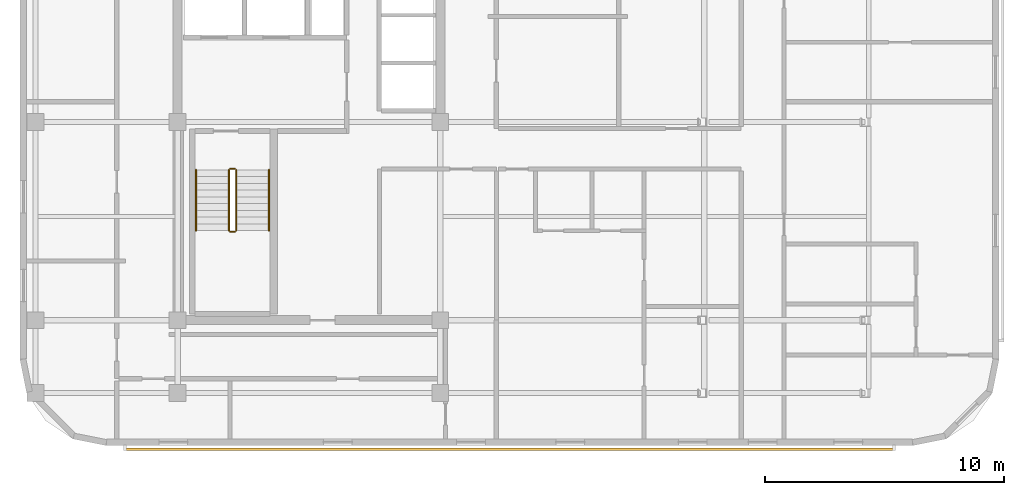
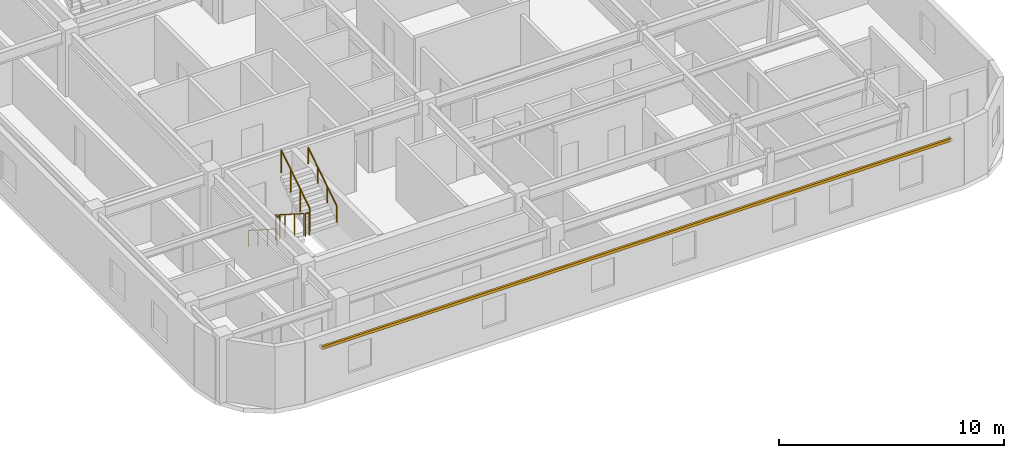
# One storey, part 8 of 10: 6 railings, 1 shading device.
"""IFC4 building model written with IfcOpenShell, lengths in metres."""

from ifc_helpers import new_model, si_unit, direction, frame, origin, origin_2d, place, context, subcontext, project, spatial, rectangle, circle, extrude, material, material_profile, profile_set, type_object, element, save


model = new_model("IFC4")

# Units and contexts
model_context = context("Model", 3, precision=1e-05, world=origin(), true_north=direction((0.0, 1.0)))
body_context = subcontext(model_context, "Body", "Model", "MODEL_VIEW")
ifc_project = project(units=[si_unit("LENGTHUNIT", "METRE"), si_unit("AREAUNIT", "SQUARE_METRE"), si_unit("VOLUMEUNIT", "CUBIC_METRE"), si_unit("PLANEANGLEUNIT", "RADIAN"), si_unit("MASSUNIT", "GRAM", prefix="KILO")], contexts=[model_context])

# Site, building, storey
site_placement = place(None, origin())
site = spatial("IfcSite", under=ifc_project, at=site_placement, CompositionType="ELEMENT")
building_placement = place(site_placement, origin())
building = spatial("IfcBuilding", under=site, at=building_placement, Name="Ochreholt Gables", CompositionType="ELEMENT")
storey_placement = place(building_placement, frame((0.0, 0.0, 177.60009765625)))
storey = spatial("IfcBuildingStorey", under=building, at=storey_placement, Name="L46", CompositionType="ELEMENT", Elevation=177.60009765625)

# Railings
ifc_material_1 = material(Name="Painted Steel Stair Guardrail", Category="steel")
railing_type_1 = type_object("IfcRailingType", Name="RL-ST-GUARD", PredefinedType="GUARDRAIL", material=ifc_material_1)
railing_1_placement = place(storey_placement, frame((26.35009765625, 15.5400390625, 0.179931640625)))
element("IfcRailing", 1, at=railing_1_placement, inside=storey, type_object=railing_type_1, Name="L46 ST-1 stair guard 1", PredefinedType="GUARDRAIL", context=body_context, shape_type="SweptSolid", body=[
    extrude(circle(Radius=0.02392578125, at=origin_2d()), frame((0.0, 0.0, 1.22607421875), z_axis=(0.0, -0.842949592929, 0.537992549931), x_axis=(1.0, 0.0, 0.0)), (0.0, 0.0, 1.0), 3.010986328125),
    extrude(circle(Radius=0.02099609375, at=origin_2d()), origin(), (0.0, 0.0, 1.0), 1.201904296875),
    extrude(circle(Radius=0.02099609375, at=origin_2d()), frame((0.0, -0.845947265625, 0.5400390625)), (0.0, 0.0, 1.0), 1.201904296875),
    extrude(circle(Radius=0.02099609375, at=origin_2d()), frame((0.0, -1.692138671875, 1.079833984375)), (0.0, 0.0, 1.0), 1.201904296875),
    extrude(circle(Radius=0.02099609375, at=origin_2d()), frame((0.0, -2.5380859375, 1.619873046875)), (0.0, 0.0, 1.0), 1.201904296875),
])
railing_2_placement = place(storey_placement, frame((26.39990234375, 12.951904296875, 1.7998046875)))
element("IfcRailing", 2, at=railing_2_placement, inside=storey, type_object=railing_type_1, Name="L46 ST-1 stair guard 2", PredefinedType="GUARDRAIL", context=body_context, shape_type="SweptSolid", body=[
    extrude(circle(Radius=0.02392578125, at=origin_2d()), frame((0.0, 0.0, 1.22607421875), z_axis=(1.0, 0.0, 0.0), x_axis=(0.0, 1.0, 0.0)), (0.0, 0.0, 1.0), 0.2001953125),
    extrude(circle(Radius=0.02099609375, at=origin_2d()), origin(), (0.0, 0.0, 1.0), 1.201904296875),
    extrude(circle(Radius=0.02099609375, at=origin_2d()), frame((0.2001953125, 0.0, 0.0)), (0.0, 0.0, 1.0), 1.201904296875),
])
railing_3_placement = place(storey_placement, frame((26.64990234375, 13.001953125, 1.97998046875)))
element("IfcRailing", 3, at=railing_3_placement, inside=storey, type_object=railing_type_1, Name="L46 ST-1 stair guard 3", PredefinedType="GUARDRAIL", context=body_context, shape_type="SweptSolid", body=[
    extrude(circle(Radius=0.02392578125, at=origin_2d()), frame((0.0, 0.0, 1.22607421875), z_axis=(0.0, 0.842949592929, 0.537992549931), x_axis=(-1.0, 0.0, 0.0)), (0.0, 0.0, 1.0), 3.010986328125),
    extrude(circle(Radius=0.02099609375, at=origin_2d()), origin(), (0.0, 0.0, 1.0), 1.201904296875),
    extrude(circle(Radius=0.02099609375, at=origin_2d()), frame((0.0, 0.845947265625, 0.5400390625)), (0.0, 0.0, 1.0), 1.201904296875),
    extrude(circle(Radius=0.02099609375, at=origin_2d()), frame((0.0, 1.692138671875, 1.079833984375)), (0.0, 0.0, 1.0), 1.201904296875),
    extrude(circle(Radius=0.02099609375, at=origin_2d()), frame((0.0, 2.5380859375, 1.619873046875)), (0.0, 0.0, 1.0), 1.201904296875),
])
railing_4_placement = place(storey_placement, frame((26.39990234375, 15.590087890625, 0.0)))
element("IfcRailing", 4, at=railing_4_placement, inside=storey, type_object=railing_type_1, Name="L46 ST-1 stair guard 4", PredefinedType="GUARDRAIL", context=body_context, shape_type="SweptSolid", body=[
    extrude(circle(Radius=0.02392578125, at=origin_2d()), frame((0.0, 0.0, 1.22607421875), z_axis=(1.0, 0.0, 0.0), x_axis=(0.0, 1.0, 0.0)), (0.0, 0.0, 1.0), 0.2001953125),
    extrude(circle(Radius=0.02099609375, at=origin_2d()), origin(), (0.0, 0.0, 1.0), 1.201904296875),
    extrude(circle(Radius=0.02099609375, at=origin_2d()), frame((0.2001953125, 0.0, 0.0)), (0.0, 0.0, 1.0), 1.201904296875),
])
ifc_material_2 = material(Name="Brushed Stainless Steel Wall Handrail", Category="steel")
railing_type_2 = type_object("IfcRailingType", Name="RL-ST-HAND", PredefinedType="HANDRAIL", material=ifc_material_2)
railing_5_placement = place(storey_placement, frame((24.969970703125, 15.5400390625, 0.179931640625)))
element("IfcRailing", 5, at=railing_5_placement, inside=storey, type_object=railing_type_2, Name="L46 ST-1 stair handrail 1", PredefinedType="HANDRAIL", context=body_context, shape_type="SweptSolid", body=[
    extrude(circle(Radius=0.02392578125, at=origin_2d()), frame((0.0, 0.0, 0.8759765625), z_axis=(0.0, -0.842949592929, 0.537992549931), x_axis=(1.0, 0.0, 0.0)), (0.0, 0.0, 1.0), 3.010986328125),
    extrude(circle(Radius=0.02099609375, at=origin_2d()), origin(), (0.0, 0.0, 1.0), 0.851806640625),
    extrude(circle(Radius=0.02099609375, at=origin_2d()), frame((0.0, -0.845947265625, 0.5400390625)), (0.0, 0.0, 1.0), 0.851806640625),
    extrude(circle(Radius=0.02099609375, at=origin_2d()), frame((0.0, -1.692138671875, 1.079833984375)), (0.0, 0.0, 1.0), 0.851806640625),
    extrude(circle(Radius=0.02099609375, at=origin_2d()), frame((0.0, -2.5380859375, 1.619873046875)), (0.0, 0.0, 1.0), 0.851806640625),
])
railing_6_placement = place(storey_placement, frame((28.030029296875, 13.001953125, 1.97998046875)))
element("IfcRailing", 6, at=railing_6_placement, inside=storey, type_object=railing_type_2, Name="L46 ST-1 stair handrail 2", PredefinedType="HANDRAIL", context=body_context, shape_type="SweptSolid", body=[
    extrude(circle(Radius=0.02392578125, at=origin_2d()), frame((0.0, 0.0, 0.8759765625), z_axis=(0.0, 0.842949592929, 0.537992549931), x_axis=(-1.0, 0.0, 0.0)), (0.0, 0.0, 1.0), 3.010986328125),
    extrude(circle(Radius=0.02099609375, at=origin_2d()), origin(), (0.0, 0.0, 1.0), 0.851806640625),
    extrude(circle(Radius=0.02099609375, at=origin_2d()), frame((0.0, 0.845947265625, 0.5400390625)), (0.0, 0.0, 1.0), 0.851806640625),
    extrude(circle(Radius=0.02099609375, at=origin_2d()), frame((0.0, 1.692138671875, 1.079833984375)), (0.0, 0.0, 1.0), 0.851806640625),
    extrude(circle(Radius=0.02099609375, at=origin_2d()), frame((0.0, 2.5380859375, 1.619873046875)), (0.0, 0.0, 1.0), 0.851806640625),
])

# Shading device
ifc_material_3 = material(Name="Warm Ochre Glazed Terracotta Baguette", Category="masonry")
ifc_material_profile = material_profile(ifc_material_3, rectangle(XDim=0.110107421875, YDim=0.14990234375, at=origin_2d()), Name="TCBAG110X150")
ifc_profile_set = profile_set([ifc_material_profile], Name="Warm Ochre Glazed Terracotta Baguette")
shading_device_type = type_object("IfcShadingDeviceType", Name="SHD-BAGUETTE", PredefinedType="USERDEFINED", material=ifc_profile_set)
shading_device_placement = place(storey_placement, frame((22.0, 3.85009765625, 2.83984375), z_axis=(1.0, 0.0, 0.0), x_axis=(0.0, 1.0, 0.0)))
element("IfcShadingDevice", 7, at=shading_device_placement, inside=storey, type_object=shading_device_type, Name="L46 Terracotta Baguette Screen S-1", ObjectType="BAGUETTE", PredefinedType="USERDEFINED", context=body_context, shape_type="SweptSolid", body=[
    extrude(rectangle(XDim=0.110107421875, YDim=0.14990234375, at=origin_2d()), origin(), (0.0, 0.0, 1.0), 32.199951171875),
])

save(model, "model.ifc")
